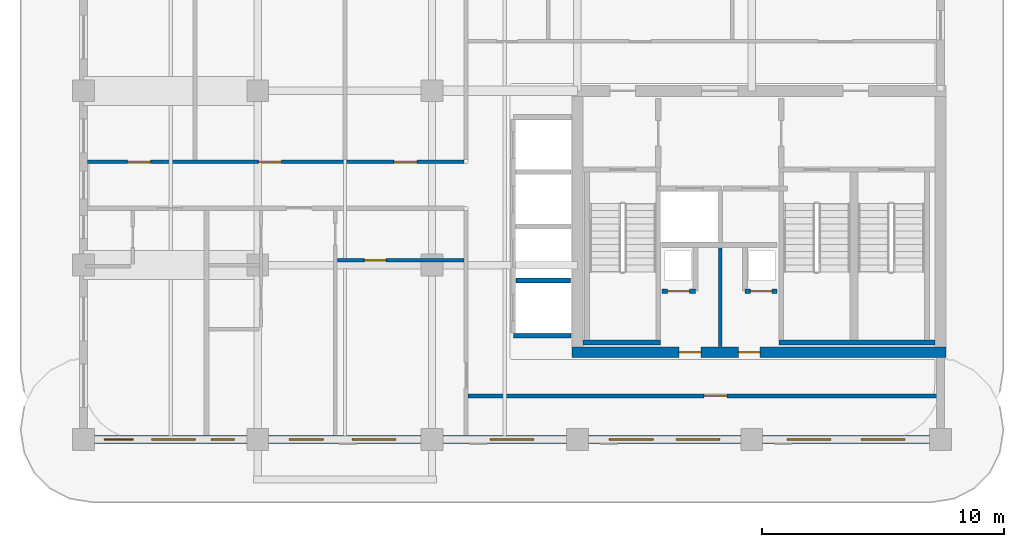
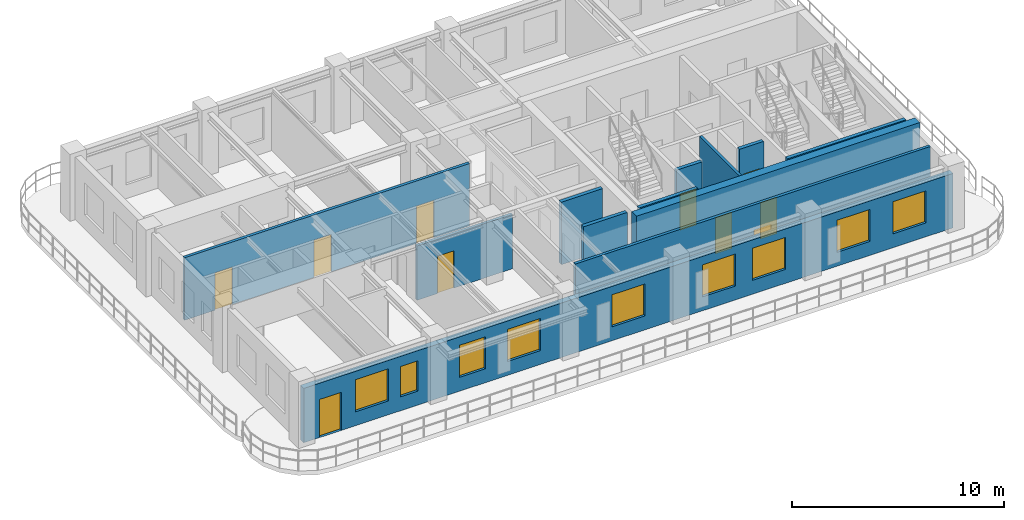
# One storey, part 3 of 8: 12 walls, 10 doors, 9 windows, 19 openings.
"""IFC4 building model written with IfcOpenShell, lengths in metres."""

from ifc_helpers import new_model, si_unit, derived_unit, direction, frame, frame_2d, origin, place, context, subcontext, project, spatial, rectangle, extrude, source, transform, mapped, material, layer, layer_set, type_object, type_shapes, element, fill, save


model = new_model("IFC4")

# Units and contexts
model_context = context("Model", 3, precision=1e-05, world=origin(), true_north=direction((0.0, 1.0)))
body_context = subcontext(model_context, "Body", "Model", "MODEL_VIEW")
ifc_project = project(units=[si_unit("LENGTHUNIT", "METRE"), si_unit("AREAUNIT", "SQUARE_METRE"), si_unit("VOLUMEUNIT", "CUBIC_METRE"), si_unit("PLANEANGLEUNIT", "RADIAN"), si_unit("MASSUNIT", "GRAM", prefix="KILO"), si_unit("THERMODYNAMICTEMPERATUREUNIT", "KELVIN"), si_unit("POWERUNIT", "WATT"), derived_unit("THERMALTRANSMITTANCEUNIT", [(si_unit("POWERUNIT", "WATT"), 1), (si_unit("AREAUNIT", "SQUARE_METRE"), -1), (si_unit("THERMODYNAMICTEMPERATUREUNIT", "KELVIN"), -1)])], contexts=[model_context])

# Site, building, storey
site_placement = place(None, origin())
site = spatial("IfcSite", under=ifc_project, at=site_placement, CompositionType="ELEMENT")
building_placement = place(site_placement, origin())
building = spatial("IfcBuilding", under=site, at=building_placement, Name="Zahravan Archway Hotel and Residences", CompositionType="ELEMENT")
storey_placement = place(building_placement, frame((0.0, 0.0, 248.10009765625)))
storey = spatial("IfcBuildingStorey", under=building, at=storey_placement, Name="L62", CompositionType="ELEMENT", Elevation=248.10009765625)

# Wall, openings, doors
ifc_material_1 = material(Name="Concrete C50/60", Category="concrete")
ifc_layer_1 = layer(ifc_material_1, 0.449951171875, Name="Concrete C50/60", Category="concrete")
ifc_layer_set_1 = layer_set([ifc_layer_1], Name="Concrete C50/60")
wall_type_1 = type_object("IfcWallType", Name="CW-CORE-450", PredefinedType="SHEAR", material=ifc_layer_set_1)
wall_1_placement = place(storey_placement, frame((34.574951171875, 3.60009765625, 0.0), z_axis=(0.0, 0.0, 1.0), x_axis=(1.0, 0.0, 0.0)))
wall_1 = element("IfcWall", 1, at=wall_1_placement, inside=storey, type_object=wall_type_1, Name="L62 Core A Shear S Wall 450 mm", PredefinedType="SHEAR", context=body_context, shape_type="SweptSolid", body=[
    extrude(rectangle(XDim=15.449951171875, YDim=0.449951171875, at=frame_2d((7.72509765625, 0.0))), origin(), (0.0, 0.0, 1.0), 3.849853515625),
])
opening_1_placement = place(wall_1_placement, frame((4.425048828125, 0.0, 0.0)))
opening_1 = element("IfcOpeningElement", 2, at=opening_1_placement, cuts=wall_1, Name="Opening FD-R1", PredefinedType="OPENING", context=body_context, shape_type="SweptSolid", body=[
    extrude(rectangle(XDim=0.89990234375, YDim=2.10009765625, at=frame_2d((0.449951171875, 1.050048828125))), frame((0.0, 0.23486328125, 0.0), z_axis=(0.0, -1.0, 0.0), x_axis=(1.0, 0.0, 0.0)), (0.0, 0.0, 1.0), 0.469970703125),
])
opening_2_placement = place(wall_1_placement, frame((6.875, 0.0, 0.0)))
opening_2 = element("IfcOpeningElement", 3, at=opening_2_placement, cuts=wall_1, Name="Opening FD-R1", PredefinedType="OPENING", context=body_context, shape_type="SweptSolid", body=[
    extrude(rectangle(XDim=0.89990234375, YDim=2.10009765625, at=frame_2d((0.449951171875, 1.050048828125))), frame((0.0, 0.23486328125, 0.0), z_axis=(0.0, -1.0, 0.0), x_axis=(1.0, 0.0, 0.0)), (0.0, 0.0, 1.0), 0.469970703125),
])
ifc_material_2 = material(Name="Fire-Rated Painted Steel", Category="steel")
door_type_1 = type_object("IfcDoorType", Name="FD-RISER-900", OperationType="NOTDEFINED", PredefinedType="DOOR", material=ifc_material_2)
shared_shape_1 = source(origin(), body_context, "Body", "SweptSolid", [
    extrude(rectangle(XDim=0.89990234375, YDim=2.10009765625, at=frame_2d((0.449951171875, 1.050048828125))), frame((0.0, 0.02490234375, 0.0), z_axis=(0.0, -1.0, 0.0), x_axis=(1.0, 0.0, 0.0)), (0.0, 0.0, 1.0), 0.050048828125),
])
type_shapes(door_type_1, [shared_shape_1])
door_1_placement = place(opening_1_placement, origin())
door_1 = element("IfcDoor", 4, at=door_1_placement, inside=storey, type_object=door_type_1, Name="L62 Electrical Switchgear Door", OperationType="SINGLE_SWING_LEFT", OverallHeight=2.10009765625, OverallWidth=0.89990234375, PredefinedType="DOOR", context=body_context, shape_type="MappedRepresentation", body=[
    mapped(shared_shape_1, transform((0.0, 0.0, 0.0), scale=1.0)),
])
fill(opening_1, door_1)
door_2_placement = place(opening_2_placement, origin())
door_2 = element("IfcDoor", 5, at=door_2_placement, inside=storey, type_object=door_type_1, Name="L62 Telecom BMS Door", OperationType="SINGLE_SWING_RIGHT", OverallHeight=2.10009765625, OverallWidth=0.89990234375, PredefinedType="DOOR", context=body_context, shape_type="MappedRepresentation", body=[
    mapped(shared_shape_1, transform((0.0, 0.0, 0.0), scale=1.0)),
])
fill(opening_2, door_2)

# Wall, openings, door, windows
ifc_material_3 = material(Name="Agra Buff Sandstone & Insulated Backup", Category="masonry")
ifc_layer_2 = layer(ifc_material_3, 0.320068359375, Name="Agra Buff Sandstone & Insulated Backup", Category="masonry")
ifc_layer_set_2 = layer_set([ifc_layer_2], Name="Agra Buff Sandstone & Insulated Backup")
wall_type_2 = type_object("IfcWallType", Name="EW-SAND-320", PredefinedType="SOLIDWALL", material=ifc_layer_set_2)
wall_2_placement = place(storey_placement, frame((14.39990234375, 0.0, 0.0), z_axis=(0.0, 0.0, 1.0), x_axis=(1.0, 0.0, 0.0)))
wall_2 = element("IfcWall", 6, at=wall_2_placement, inside=storey, type_object=wall_type_2, Name="L62 Exterior Sandstone Wall WA-S", PredefinedType="SOLIDWALL", context=body_context, shape_type="SweptSolid", body=[
    extrude(rectangle(XDim=35.400146484375, YDim=0.320068359375, at=frame_2d((17.7001953125, 0.0))), origin(), (0.0, 0.0, 1.0), 3.135009765625),
])
opening_3_placement = place(wall_2_placement, frame((0.85009765625, 0.0, 0.0)))
opening_3 = element("IfcOpeningElement", 7, at=opening_3_placement, cuts=wall_2, Name="Opening ED-BL1", PredefinedType="OPENING", context=body_context, shape_type="SweptSolid", body=[
    extrude(rectangle(XDim=1.199951171875, YDim=2.199951171875, at=frame_2d((0.60009765625, 1.10009765625))), frame((0.0, 0.169921875, 0.0), z_axis=(0.0, -1.0, 0.0), x_axis=(1.0, 0.0, 0.0)), (0.0, 0.0, 1.0), 0.340087890625),
])
opening_4_placement = place(wall_2_placement, frame((2.81103515625, 0.0, 0.800048828125)))
opening_4 = element("IfcOpeningElement", 8, at=opening_4_placement, cuts=wall_2, Name="Opening W-02", PredefinedType="OPENING", context=body_context, shape_type="SweptSolid", body=[
    extrude(rectangle(XDim=1.800048828125, YDim=1.85009765625, at=frame_2d((0.89990234375, 0.925048828125))), frame((0.0, 0.169921875, 0.0), z_axis=(0.0, -1.0, 0.0), x_axis=(1.0, 0.0, 0.0)), (0.0, 0.0, 1.0), 0.340087890625),
])
opening_5_placement = place(wall_2_placement, frame((5.26904296875, 0.0, 0.800048828125)))
opening_5 = element("IfcOpeningElement", 9, at=opening_5_placement, cuts=wall_2, Name="Opening W-04", PredefinedType="OPENING", context=body_context, shape_type="SweptSolid", body=[
    extrude(rectangle(XDim=0.949951171875, YDim=1.75, at=frame_2d((0.47509765625, 0.875))), frame((0.0, 0.169921875, 0.0), z_axis=(0.0, -1.0, 0.0), x_axis=(1.0, 0.0, 0.0)), (0.0, 0.0, 1.0), 0.340087890625),
])
opening_6_placement = place(wall_2_placement, frame((8.49609375, 0.0, 0.800048828125)))
opening_6 = element("IfcOpeningElement", 10, at=opening_6_placement, cuts=wall_2, Name="Opening W-03", PredefinedType="OPENING", context=body_context, shape_type="SweptSolid", body=[
    extrude(rectangle(XDim=1.39990234375, YDim=1.85009765625, at=frame_2d((0.699951171875, 0.925048828125))), frame((0.0, 0.169921875, 0.0), z_axis=(0.0, -1.0, 0.0), x_axis=(1.0, 0.0, 0.0)), (0.0, 0.0, 1.0), 0.340087890625),
])
opening_7_placement = place(wall_2_placement, frame((11.10400390625, 0.0, 0.800048828125)))
opening_7 = element("IfcOpeningElement", 11, at=opening_7_placement, cuts=wall_2, Name="Opening W-02", PredefinedType="OPENING", context=body_context, shape_type="SweptSolid", body=[
    extrude(rectangle(XDim=1.800048828125, YDim=1.85009765625, at=frame_2d((0.89990234375, 0.925048828125))), frame((0.0, 0.169921875, 0.0), z_axis=(0.0, -1.0, 0.0), x_axis=(1.0, 0.0, 0.0)), (0.0, 0.0, 1.0), 0.340087890625),
])
opening_8_placement = place(wall_2_placement, frame((16.803955078125, 0.0, 0.800048828125)))
opening_8 = element("IfcOpeningElement", 12, at=opening_8_placement, cuts=wall_2, Name="Opening W-02", PredefinedType="OPENING", context=body_context, shape_type="SweptSolid", body=[
    extrude(rectangle(XDim=1.800048828125, YDim=1.85009765625, at=frame_2d((0.89990234375, 0.925048828125))), frame((0.0, 0.169921875, 0.0), z_axis=(0.0, -1.0, 0.0), x_axis=(1.0, 0.0, 0.0)), (0.0, 0.0, 1.0), 0.340087890625),
])
opening_9_placement = place(wall_2_placement, frame((21.72509765625, 0.0, 0.800048828125)))
opening_9 = element("IfcOpeningElement", 13, at=opening_9_placement, cuts=wall_2, Name="Opening W-02", PredefinedType="OPENING", context=body_context, shape_type="SweptSolid", body=[
    extrude(rectangle(XDim=1.800048828125, YDim=1.85009765625, at=frame_2d((0.89990234375, 0.925048828125))), frame((0.0, 0.169921875, 0.0), z_axis=(0.0, -1.0, 0.0), x_axis=(1.0, 0.0, 0.0)), (0.0, 0.0, 1.0), 0.340087890625),
])
opening_10_placement = place(wall_2_placement, frame((24.47509765625, 0.0, 0.800048828125)))
opening_10 = element("IfcOpeningElement", 14, at=opening_10_placement, cuts=wall_2, Name="Opening W-02", PredefinedType="OPENING", context=body_context, shape_type="SweptSolid", body=[
    extrude(rectangle(XDim=1.800048828125, YDim=1.85009765625, at=frame_2d((0.89990234375, 0.925048828125))), frame((0.0, 0.169921875, 0.0), z_axis=(0.0, -1.0, 0.0), x_axis=(1.0, 0.0, 0.0)), (0.0, 0.0, 1.0), 0.340087890625),
])
opening_11_placement = place(wall_2_placement, frame((29.074951171875, 0.0, 0.800048828125)))
opening_11 = element("IfcOpeningElement", 15, at=opening_11_placement, cuts=wall_2, Name="Opening W-02", PredefinedType="OPENING", context=body_context, shape_type="SweptSolid", body=[
    extrude(rectangle(XDim=1.800048828125, YDim=1.85009765625, at=frame_2d((0.89990234375, 0.925048828125))), frame((0.0, 0.169921875, 0.0), z_axis=(0.0, -1.0, 0.0), x_axis=(1.0, 0.0, 0.0)), (0.0, 0.0, 1.0), 0.340087890625),
])
opening_12_placement = place(wall_2_placement, frame((32.125, 0.0, 0.800048828125)))
opening_12 = element("IfcOpeningElement", 16, at=opening_12_placement, cuts=wall_2, Name="Opening W-02", PredefinedType="OPENING", context=body_context, shape_type="SweptSolid", body=[
    extrude(rectangle(XDim=1.800048828125, YDim=1.85009765625, at=frame_2d((0.89990234375, 0.925048828125))), frame((0.0, 0.169921875, 0.0), z_axis=(0.0, -1.0, 0.0), x_axis=(1.0, 0.0, 0.0)), (0.0, 0.0, 1.0), 0.340087890625),
])
ifc_material_4 = material(Name="Bronze-Anodized Glazed Aluminium", Category="aluminium")
door_type_2 = type_object("IfcDoorType", Name="ED-BALC-1200", OperationType="SLIDING_TO_LEFT", PredefinedType="DOOR", material=ifc_material_4)
shared_shape_2 = source(origin(), body_context, "Body", "SweptSolid", [
    extrude(rectangle(XDim=1.199951171875, YDim=2.199951171875, at=frame_2d((0.60009765625, 1.10009765625))), frame((0.0, 0.02490234375, 0.0), z_axis=(0.0, -1.0, 0.0), x_axis=(1.0, 0.0, 0.0)), (0.0, 0.0, 1.0), 0.050048828125),
])
type_shapes(door_type_2, [shared_shape_2])
door_3_placement = place(opening_3_placement, origin())
door_3 = element("IfcDoor", 17, at=door_3_placement, inside=storey, type_object=door_type_2, Name="L62 Outdoor Access Sliding Door (SLB-BAL-L62-SA)", OperationType="SLIDING_TO_LEFT", OverallHeight=2.199951171875, OverallWidth=1.199951171875, PredefinedType="DOOR", context=body_context, shape_type="MappedRepresentation", body=[
    mapped(shared_shape_2, transform((0.0, 0.0, 0.0), scale=1.0)),
])
fill(opening_3, door_3)
ifc_material_5 = material(Name="Bronze-Anodized Thermal-Break Aluminium & Low-E Glass", Category="aluminium")
window_type_1 = type_object("IfcWindowType", Name="WIN-TWR-1400", PartitioningType="SINGLE_PANEL", PredefinedType="WINDOW", material=ifc_material_5)
shared_shape_3 = source(origin(), body_context, "Body", "SweptSolid", [
    extrude(rectangle(XDim=1.39990234375, YDim=1.85009765625, at=frame_2d((0.699951171875, 0.925048828125))), frame((0.0, 0.030029296875, 0.0), z_axis=(0.0, -1.0, 0.0), x_axis=(1.0, 0.0, 0.0)), (0.0, 0.0, 1.0), 0.06005859375),
])
type_shapes(window_type_1, [shared_shape_3])
window_1_placement = place(opening_6_placement, origin())
window_1 = element("IfcWindow", 18, at=window_1_placement, inside=storey, type_object=window_type_1, Name="L62 Loggia Window 03", OverallHeight=1.85009765625, OverallWidth=1.39990234375, PartitioningType="SINGLE_PANEL", PredefinedType="WINDOW", context=body_context, shape_type="MappedRepresentation", body=[
    mapped(shared_shape_3, transform((0.0, 0.0, 0.0), scale=1.0)),
])
fill(opening_6, window_1)
window_type_2 = type_object("IfcWindowType", Name="WIN-NAR-950", PartitioningType="SINGLE_PANEL", PredefinedType="WINDOW", material=ifc_material_5)
shared_shape_4 = source(origin(), body_context, "Body", "SweptSolid", [
    extrude(rectangle(XDim=0.949951171875, YDim=1.75, at=frame_2d((0.47509765625, 0.875))), frame((0.0, 0.030029296875, 0.0), z_axis=(0.0, -1.0, 0.0), x_axis=(1.0, 0.0, 0.0)), (0.0, 0.0, 1.0), 0.06005859375),
])
type_shapes(window_type_2, [shared_shape_4])
window_2_placement = place(opening_5_placement, origin())
window_2 = element("IfcWindow", 19, at=window_2_placement, inside=storey, type_object=window_type_2, Name="L62 Loggia Window 02", OverallHeight=1.75, OverallWidth=0.949951171875, PartitioningType="SINGLE_PANEL", PredefinedType="WINDOW", context=body_context, shape_type="MappedRepresentation", body=[
    mapped(shared_shape_4, transform((0.0, 0.0, 0.0), scale=1.0)),
])
fill(opening_5, window_2)
window_type_3 = type_object("IfcWindowType", Name="WIN-TWR-1800", PartitioningType="DOUBLE_PANEL_VERTICAL", PredefinedType="WINDOW", material=ifc_material_5)
shared_shape_5 = source(origin(), body_context, "Body", "SweptSolid", [
    extrude(rectangle(XDim=1.800048828125, YDim=1.85009765625, at=frame_2d((0.89990234375, 0.925048828125))), frame((0.0, 0.030029296875, 0.0), z_axis=(0.0, -1.0, 0.0), x_axis=(1.0, 0.0, 0.0)), (0.0, 0.0, 1.0), 0.06005859375),
])
type_shapes(window_type_3, [shared_shape_5])
window_3_placement = place(opening_4_placement, origin())
window_3 = element("IfcWindow", 20, at=window_3_placement, inside=storey, type_object=window_type_3, Name="L62 Loggia Window 01", OverallHeight=1.85009765625, OverallWidth=1.800048828125, PartitioningType="DOUBLE_PANEL_VERTICAL", PredefinedType="WINDOW", context=body_context, shape_type="MappedRepresentation", body=[
    mapped(shared_shape_5, transform((0.0, 0.0, 0.0), scale=1.0)),
])
fill(opening_4, window_3)
window_4_placement = place(opening_7_placement, origin())
window_4 = element("IfcWindow", 21, at=window_4_placement, inside=storey, type_object=window_type_3, Name="L62 Loggia Window 04", OverallHeight=1.85009765625, OverallWidth=1.800048828125, PartitioningType="DOUBLE_PANEL_VERTICAL", PredefinedType="WINDOW", context=body_context, shape_type="MappedRepresentation", body=[
    mapped(shared_shape_5, transform((0.0, 0.0, 0.0), scale=1.0)),
])
fill(opening_7, window_4)
window_5_placement = place(opening_8_placement, origin())
window_5 = element("IfcWindow", 22, at=window_5_placement, inside=storey, type_object=window_type_3, Name="L62 Loggia Window 05", OverallHeight=1.85009765625, OverallWidth=1.800048828125, PartitioningType="DOUBLE_PANEL_VERTICAL", PredefinedType="WINDOW", context=body_context, shape_type="MappedRepresentation", body=[
    mapped(shared_shape_5, transform((0.0, 0.0, 0.0), scale=1.0)),
])
fill(opening_8, window_5)
window_6_placement = place(opening_9_placement, origin())
window_6 = element("IfcWindow", 23, at=window_6_placement, inside=storey, type_object=window_type_3, Name="L62 Loggia Window 06", OverallHeight=1.85009765625, OverallWidth=1.800048828125, PartitioningType="DOUBLE_PANEL_VERTICAL", PredefinedType="WINDOW", context=body_context, shape_type="MappedRepresentation", body=[
    mapped(shared_shape_5, transform((0.0, 0.0, 0.0), scale=1.0)),
])
fill(opening_9, window_6)
window_7_placement = place(opening_10_placement, origin())
window_7 = element("IfcWindow", 24, at=window_7_placement, inside=storey, type_object=window_type_3, Name="L62 Loggia Window 07", OverallHeight=1.85009765625, OverallWidth=1.800048828125, PartitioningType="DOUBLE_PANEL_VERTICAL", PredefinedType="WINDOW", context=body_context, shape_type="MappedRepresentation", body=[
    mapped(shared_shape_5, transform((0.0, 0.0, 0.0), scale=1.0)),
])
fill(opening_10, window_7)
window_8_placement = place(opening_11_placement, origin())
window_8 = element("IfcWindow", 25, at=window_8_placement, inside=storey, type_object=window_type_3, Name="L62 Loggia Window 08", OverallHeight=1.85009765625, OverallWidth=1.800048828125, PartitioningType="DOUBLE_PANEL_VERTICAL", PredefinedType="WINDOW", context=body_context, shape_type="MappedRepresentation", body=[
    mapped(shared_shape_5, transform((0.0, 0.0, 0.0), scale=1.0)),
])
fill(opening_11, window_8)
window_9_placement = place(opening_12_placement, origin())
window_9 = element("IfcWindow", 26, at=window_9_placement, inside=storey, type_object=window_type_3, Name="L62 Loggia Window 09", OverallHeight=1.85009765625, OverallWidth=1.800048828125, PartitioningType="DOUBLE_PANEL_VERTICAL", PredefinedType="WINDOW", context=body_context, shape_type="MappedRepresentation", body=[
    mapped(shared_shape_5, transform((0.0, 0.0, 0.0), scale=1.0)),
])
fill(opening_12, window_9)

# Wall, openings, doors
ifc_material_6 = material(Name="Fire-Rated Gypsum & Concrete Block", Category="concrete")
ifc_layer_3 = layer(ifc_material_6, 0.159912109375, Name="Fire-Rated Gypsum & Concrete Block", Category="concrete")
ifc_layer_set_3 = layer_set([ifc_layer_3], Name="Fire-Rated Gypsum & Concrete Block")
wall_type_3 = type_object("IfcWallType", Name="PW-CORR-160", PredefinedType="PARTITIONING", material=ifc_layer_set_3)
wall_3_placement = place(storey_placement, frame((14.568115234375, 11.469970703125, 0.0), z_axis=(0.0, 0.0, 1.0), x_axis=(1.0, 0.0, 0.0)))
wall_3 = element("IfcWall", 27, at=wall_3_placement, inside=storey, type_object=wall_type_3, Name="L62 Partition WA-CN", PredefinedType="PARTITIONING", context=body_context, shape_type="SweptSolid", body=[
    extrude(rectangle(XDim=15.5419921875, YDim=0.159912109375, at=frame_2d((7.77099609375, 0.0))), origin(), (0.0, 0.0, 1.0), 3.599853515625),
])
opening_13_placement = place(wall_3_placement, frame((1.656982421875, 0.0, 0.0)))
opening_13 = element("IfcOpeningElement", 28, at=opening_13_placement, cuts=wall_3, Name="Opening D-I1", PredefinedType="OPENING", context=body_context, shape_type="SweptSolid", body=[
    extrude(rectangle(XDim=0.949951171875, YDim=2.14990234375, at=frame_2d((0.47509765625, 1.074951171875))), frame((0.0, 0.08984375, 0.0), z_axis=(0.0, -1.0, 0.0), x_axis=(1.0, 0.0, 0.0)), (0.0, 0.0, 1.0), 0.179931640625),
])
opening_14_placement = place(wall_3_placement, frame((7.056884765625, 0.0, 0.0)))
opening_14 = element("IfcOpeningElement", 29, at=opening_14_placement, cuts=wall_3, Name="Opening D-I1", PredefinedType="OPENING", context=body_context, shape_type="SweptSolid", body=[
    extrude(rectangle(XDim=0.949951171875, YDim=2.14990234375, at=frame_2d((0.47509765625, 1.074951171875))), frame((0.0, 0.08984375, 0.0), z_axis=(0.0, -1.0, 0.0), x_axis=(1.0, 0.0, 0.0)), (0.0, 0.0, 1.0), 0.179931640625),
])
opening_15_placement = place(wall_3_placement, frame((12.656982421875, 0.0, 0.0)))
opening_15 = element("IfcOpeningElement", 30, at=opening_15_placement, cuts=wall_3, Name="Opening D-I1", PredefinedType="OPENING", context=body_context, shape_type="SweptSolid", body=[
    extrude(rectangle(XDim=0.949951171875, YDim=2.14990234375, at=frame_2d((0.47509765625, 1.074951171875))), frame((0.0, 0.08984375, 0.0), z_axis=(0.0, -1.0, 0.0), x_axis=(1.0, 0.0, 0.0)), (0.0, 0.0, 1.0), 0.179931640625),
])
ifc_material_7 = material(Name="Hardwood Veneer Timber", Category="wood")
door_type_3 = type_object("IfcDoorType", Name="ID-INT-950", OperationType="NOTDEFINED", PredefinedType="DOOR", material=ifc_material_7)
shared_shape_6 = source(origin(), body_context, "Body", "SweptSolid", [
    extrude(rectangle(XDim=0.949951171875, YDim=2.14990234375, at=frame_2d((0.47509765625, 1.074951171875))), frame((0.0, 0.02490234375, 0.0), z_axis=(0.0, -1.0, 0.0), x_axis=(1.0, 0.0, 0.0)), (0.0, 0.0, 1.0), 0.050048828125),
])
type_shapes(door_type_3, [shared_shape_6])
door_4_placement = place(opening_13_placement, origin())
door_4 = element("IfcDoor", 31, at=door_4_placement, inside=storey, type_object=door_type_3, Name="L62 North Meeting Room 1 Door", OperationType="SINGLE_SWING_RIGHT", OverallHeight=2.14990234375, OverallWidth=0.949951171875, PredefinedType="DOOR", context=body_context, shape_type="MappedRepresentation", body=[
    mapped(shared_shape_6, transform((0.0, 0.0, 0.0), scale=1.0)),
])
fill(opening_13, door_4)
door_5_placement = place(opening_14_placement, origin())
door_5 = element("IfcDoor", 32, at=door_5_placement, inside=storey, type_object=door_type_3, Name="L62 North Meeting Room 2 Door", OperationType="SINGLE_SWING_LEFT", OverallHeight=2.14990234375, OverallWidth=0.949951171875, PredefinedType="DOOR", context=body_context, shape_type="MappedRepresentation", body=[
    mapped(shared_shape_6, transform((0.0, 0.0, 0.0), scale=1.0)),
])
fill(opening_14, door_5)
door_6_placement = place(opening_15_placement, origin())
door_6 = element("IfcDoor", 33, at=door_6_placement, inside=storey, type_object=door_type_3, Name="L62 North Conference Room Door", OperationType="SINGLE_SWING_RIGHT", OverallHeight=2.14990234375, OverallWidth=0.949951171875, PredefinedType="DOOR", context=body_context, shape_type="MappedRepresentation", body=[
    mapped(shared_shape_6, transform((0.0, 0.0, 0.0), scale=1.0)),
])
fill(opening_15, door_6)

# Wall, opening, door
wall_4_placement = place(storey_placement, frame((30.2900390625, 1.800048828125, 0.0), z_axis=(0.0, 0.0, 1.0), x_axis=(1.0, 0.0, 0.0)))
wall_4 = element("IfcWall", 34, at=wall_4_placement, inside=storey, type_object=wall_type_3, Name="L62 Partition WA-SRS", PredefinedType="PARTITIONING", context=body_context, shape_type="SweptSolid", body=[
    extrude(rectangle(XDim=19.369873046875, YDim=0.159912109375, at=frame_2d((9.68505859375, 0.0))), origin(), (0.0, 0.0, 1.0), 3.599853515625),
])
opening_16_placement = place(wall_4_placement, frame((9.735107421875, 0.0, 0.0)))
opening_16 = element("IfcOpeningElement", 35, at=opening_16_placement, cuts=wall_4, Name="Opening D-I1", PredefinedType="OPENING", context=body_context, shape_type="SweptSolid", body=[
    extrude(rectangle(XDim=0.949951171875, YDim=2.14990234375, at=frame_2d((0.47509765625, 1.074951171875))), frame((0.0, 0.08984375, 0.0), z_axis=(0.0, -1.0, 0.0), x_axis=(1.0, 0.0, 0.0)), (0.0, 0.0, 1.0), 0.179931640625),
])
door_7_placement = place(opening_16_placement, origin())
door_7 = element("IfcDoor", 36, at=door_7_placement, inside=storey, type_object=door_type_3, Name="L62 South Viewing Lounge Door", OperationType="SINGLE_SWING_RIGHT", OverallHeight=2.14990234375, OverallWidth=0.949951171875, PredefinedType="DOOR", context=body_context, shape_type="MappedRepresentation", body=[
    mapped(shared_shape_6, transform((0.0, 0.0, 0.0), scale=1.0)),
])
fill(opening_16, door_7)

ifc_layer_4 = layer(ifc_material_6, 0.199951171875, Name="Fire-Rated Gypsum & Concrete Block", Category="concrete")
ifc_layer_set_4 = layer_set([ifc_layer_4], Name="Fire-Rated Gypsum & Concrete Block")
wall_type_4 = type_object("IfcWallType", Name="PW-SHAFT-200", PredefinedType="PARTITIONING", material=ifc_layer_set_4)
wall_5_placement = place(storey_placement, frame((38.2900390625, 6.1201171875, 0.0), z_axis=(0.0, 0.0, 1.0), x_axis=(1.0, 0.0, 0.0)))
wall_5 = element("IfcWall", 37, at=wall_5_placement, inside=storey, type_object=wall_type_4, Name="L62 Partition CA-SMKS", PredefinedType="PARTITIONING", context=body_context, shape_type="SweptSolid", body=[
    extrude(rectangle(XDim=1.3798828125, YDim=0.199951171875, at=frame_2d((0.68994140625, 0.0))), origin(), (0.0, 0.0, 1.0), 3.599853515625),
])
opening_17_placement = place(wall_5_placement, frame((0.239990234375, 0.0, 0.0)))
opening_17 = element("IfcOpeningElement", 38, at=opening_17_placement, cuts=wall_5, Name="Opening FD-R1", PredefinedType="OPENING", context=body_context, shape_type="SweptSolid", body=[
    extrude(rectangle(XDim=0.89990234375, YDim=2.10009765625, at=frame_2d((0.449951171875, 1.050048828125))), frame((0.0, 0.10986328125, 0.0), z_axis=(0.0, -1.0, 0.0), x_axis=(1.0, 0.0, 0.0)), (0.0, 0.0, 1.0), 0.219970703125),
])
door_8_placement = place(opening_17_placement, origin())
door_8 = element("IfcDoor", 39, at=door_8_placement, inside=storey, type_object=door_type_1, Name="L62 Smoke Riser Access Door", OperationType="SINGLE_SWING_LEFT", OverallHeight=2.10009765625, OverallWidth=0.89990234375, PredefinedType="DOOR", context=body_context, shape_type="MappedRepresentation", body=[
    mapped(shared_shape_1, transform((0.0, 0.0, 0.0), scale=1.0)),
])
fill(opening_17, door_8)

wall_6_placement = place(storey_placement, frame((41.72998046875, 6.1201171875, 0.0), z_axis=(0.0, 0.0, 1.0), x_axis=(1.0, 0.0, 0.0)))
wall_6 = element("IfcWall", 40, at=wall_6_placement, inside=storey, type_object=wall_type_4, Name="L62 Partition CA-MEPS", PredefinedType="PARTITIONING", context=body_context, shape_type="SweptSolid", body=[
    extrude(rectangle(XDim=1.320068359375, YDim=0.199951171875, at=frame_2d((0.66015625, 0.0))), origin(), (0.0, 0.0, 1.0), 3.599853515625),
])
opening_18_placement = place(wall_6_placement, frame((0.219970703125, 0.0, 0.0)))
opening_18 = element("IfcOpeningElement", 41, at=opening_18_placement, cuts=wall_6, Name="Opening FD-R1", PredefinedType="OPENING", context=body_context, shape_type="SweptSolid", body=[
    extrude(rectangle(XDim=0.89990234375, YDim=2.10009765625, at=frame_2d((0.449951171875, 1.050048828125))), frame((0.0, 0.10986328125, 0.0), z_axis=(0.0, -1.0, 0.0), x_axis=(1.0, 0.0, 0.0)), (0.0, 0.0, 1.0), 0.219970703125),
])
door_9_placement = place(opening_18_placement, origin())
door_9 = element("IfcDoor", 42, at=door_9_placement, inside=storey, type_object=door_type_1, Name="L62 MEP Riser Access Door", OperationType="SINGLE_SWING_RIGHT", OverallHeight=2.10009765625, OverallWidth=0.89990234375, PredefinedType="DOOR", context=body_context, shape_type="MappedRepresentation", body=[
    mapped(shared_shape_1, transform((0.0, 0.0, 0.0), scale=1.0)),
])
fill(opening_18, door_9)

# Walls
wall_7_placement = place(storey_placement, frame((32.159912109375, 4.280029296875, 0.0), z_axis=(0.0, 0.0, 1.0), x_axis=(1.0, 0.0, 0.0)))
element("IfcWall", 43, at=wall_7_placement, inside=storey, type_object=wall_type_4, Name="L62 Partition B3-S", PredefinedType="PARTITIONING", context=body_context, shape_type="SweptSolid", body=[
    extrude(rectangle(XDim=2.385009765625, YDim=0.199951171875, at=frame_2d((1.1923828125, 0.0))), origin(), (0.0, 0.0, 1.0), 3.599853515625),
])
wall_8_placement = place(storey_placement, frame((32.260009765625, 6.56005859375, 0.0), z_axis=(0.0, 0.0, 1.0), x_axis=(1.0, 0.0, 0.0)))
element("IfcWall", 44, at=wall_8_placement, inside=storey, type_object=wall_type_4, Name="L62 Partition B3-D", PredefinedType="PARTITIONING", context=body_context, shape_type="SweptSolid", body=[
    extrude(rectangle(XDim=2.2548828125, YDim=0.199951171875, at=frame_2d((1.12744140625, 0.0))), origin(), (0.0, 0.0, 1.0), 3.599853515625),
])

# Wall, opening, door
ifc_material_8 = material(Name="Acoustic Stud Partition")
ifc_layer_5 = layer(ifc_material_8, 0.14990234375, Name="Acoustic Stud Partition")
ifc_layer_set_5 = layer_set([ifc_layer_5], Name="Acoustic Stud Partition")
wall_type_5 = type_object("IfcWallType", Name="PW-UNIT-150", PredefinedType="PARTITIONING", material=ifc_layer_set_5)
wall_9_placement = place(storey_placement, frame((24.889892578125, 7.39990234375, 0.0), z_axis=(0.0, 0.0, 1.0), x_axis=(1.0, 0.0, 0.0)))
wall_9 = element("IfcWall", 45, at=wall_9_placement, inside=storey, type_object=wall_type_5, Name="L62 Partition FL-S1-GH", PredefinedType="PARTITIONING", context=body_context, shape_type="SweptSolid", body=[
    extrude(rectangle(XDim=5.22021484375, YDim=0.14990234375, at=frame_2d((2.610107421875, 0.0))), origin(), (0.0, 0.0, 1.0), 3.135009765625),
])
opening_19_placement = place(wall_9_placement, frame((1.110107421875, 0.0, 0.0)))
opening_19 = element("IfcOpeningElement", 46, at=opening_19_placement, cuts=wall_9, Name="Opening D-I2", PredefinedType="OPENING", context=body_context, shape_type="SweptSolid", body=[
    extrude(rectangle(XDim=0.89990234375, YDim=2.14990234375, at=frame_2d((0.449951171875, 1.074951171875))), frame((0.0, 0.0849609375, 0.0), z_axis=(0.0, -1.0, 0.0), x_axis=(1.0, 0.0, 0.0)), (0.0, 0.0, 1.0), 0.169921875),
])
door_type_4 = type_object("IfcDoorType", Name="ID-INT-900", OperationType="NOTDEFINED", PredefinedType="DOOR", material=ifc_material_7)
shared_shape_7 = source(origin(), body_context, "Body", "SweptSolid", [
    extrude(rectangle(XDim=0.89990234375, YDim=2.14990234375, at=frame_2d((0.449951171875, 1.074951171875))), frame((0.0, 0.02490234375, 0.0), z_axis=(0.0, -1.0, 0.0), x_axis=(1.0, 0.0, 0.0)), (0.0, 0.0, 1.0), 0.050048828125),
])
type_shapes(door_type_4, [shared_shape_7])
door_10_placement = place(opening_19_placement, origin())
door_10 = element("IfcDoor", 47, at=door_10_placement, inside=storey, type_object=door_type_4, Name="L62 Flat S1 Bedroom 1 Door", OperationType="SINGLE_SWING_LEFT", OverallHeight=2.14990234375, OverallWidth=0.89990234375, PredefinedType="DOOR", context=body_context, shape_type="MappedRepresentation", body=[
    mapped(shared_shape_7, transform((0.0, 0.0, 0.0), scale=1.0)),
])
fill(opening_19, door_10)

# Walls
ifc_material_9 = material(Name="Moisture-Resistant Blockwork", Category="masonry")
ifc_layer_6 = layer(ifc_material_9, 0.139892578125, Name="Moisture-Resistant Blockwork", Category="masonry")
ifc_layer_set_6 = layer_set([ifc_layer_6], Name="Moisture-Resistant Blockwork")
wall_type_6 = type_object("IfcWallType", Name="PW-WET-140", PredefinedType="PARTITIONING", material=ifc_layer_set_6)
wall_10_placement = place(storey_placement, frame((40.699951171875, 3.844970703125, 0.0), z_axis=(0.0, 0.0, 1.0), x_axis=(0.0, 1.0, 0.0)))
element("IfcWall", 48, at=wall_10_placement, inside=storey, type_object=wall_type_6, Name="L62 Partition CA-CV0", PredefinedType="PARTITIONING", context=body_context, shape_type="SweptSolid", body=[
    extrude(rectangle(XDim=4.06494140625, YDim=0.139892578125, at=frame_2d((2.032470703125, 0.0))), origin(), (0.0, 0.0, 1.0), 3.599853515625),
])
ifc_layer_7 = layer(ifc_material_1, 0.199951171875, Name="Concrete C50/60", Category="concrete")
ifc_layer_set_7 = layer_set([ifc_layer_7], Name="Concrete C50/60")
wall_type_7 = type_object("IfcWallType", Name="SW-STAIR-200", PredefinedType="SHEAR", material=ifc_layer_set_7)
wall_11_placement = place(storey_placement, frame((35.02490234375, 4.0, 0.0), z_axis=(0.0, 0.0, 1.0), x_axis=(1.0, 0.0, 0.0)))
element("IfcWall", 49, at=wall_11_placement, inside=storey, type_object=wall_type_7, Name="L62 Stairwell RC Wall CA-SA1S", PredefinedType="SHEAR", context=body_context, shape_type="SweptSolid", body=[
    extrude(rectangle(XDim=3.215087890625, YDim=0.199951171875, at=frame_2d((1.607421875, 0.0))), origin(), (0.0, 0.0, 1.0), 3.849853515625),
])
wall_12_placement = place(storey_placement, frame((43.1201171875, 4.0, 0.0), z_axis=(0.0, 0.0, 1.0), x_axis=(1.0, 0.0, 0.0)))
element("IfcWall", 50, at=wall_12_placement, inside=storey, type_object=wall_type_7, Name="L62 Stairwell RC Wall CA-SA23S", PredefinedType="SHEAR", context=body_context, shape_type="SweptSolid", body=[
    extrude(rectangle(XDim=6.454833984375, YDim=0.199951171875, at=frame_2d((3.2275390625, 0.0))), origin(), (0.0, 0.0, 1.0), 3.849853515625),
])

save(model, "model.ifc")
